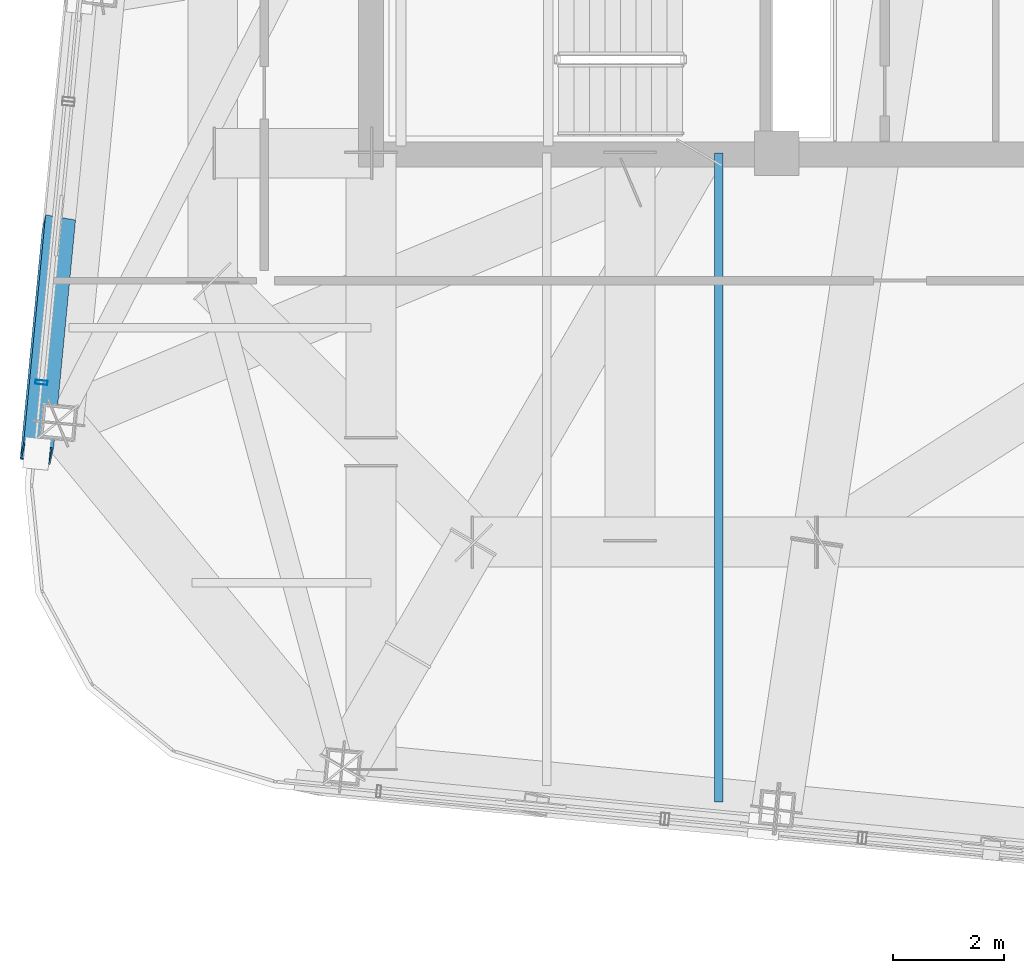
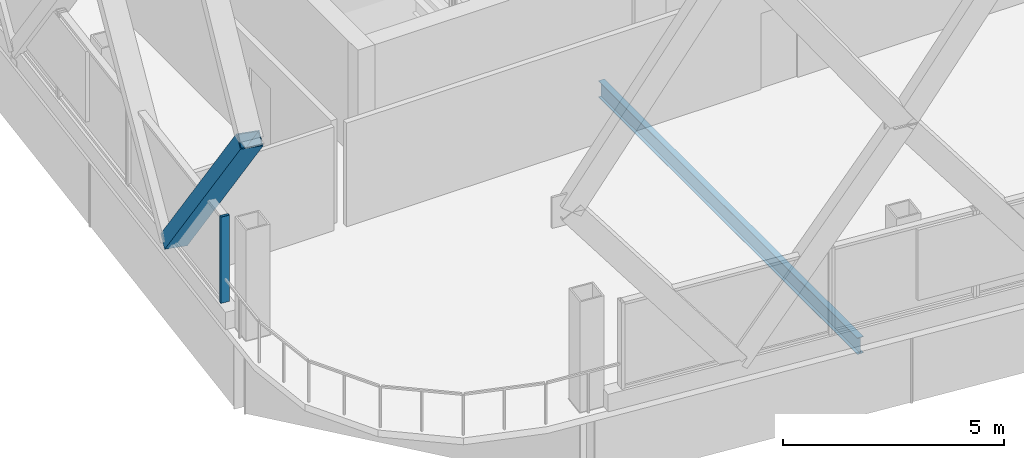
# One storey, part 4 of 31: 2 members, 1 beam, 1 element without a shape of its own.
"""IFC4 building model written with IfcOpenShell, lengths in metres."""

from ifc_helpers import new_model, si_unit, direction, frame, origin, origin_2d, place, context, subcontext, project, spatial, hollow_rectangle, i_section, extrude, material, layer, layer_set, material_profile, profile_set, type_object, element, aggregate, save


model = new_model("IFC4")

# Units and contexts
model_context = context("Model", 3, precision=1e-05, world=origin(), true_north=direction((0.0, 1.0)))
body_context = subcontext(model_context, "Body", "Model", "MODEL_VIEW")
ifc_project = project(units=[si_unit("LENGTHUNIT", "METRE"), si_unit("AREAUNIT", "SQUARE_METRE"), si_unit("VOLUMEUNIT", "CUBIC_METRE"), si_unit("PLANEANGLEUNIT", "RADIAN"), si_unit("MASSUNIT", "GRAM", prefix="KILO")], contexts=[model_context])

# Site, building, storey
site_placement = place(None, origin())
site = spatial("IfcSite", under=ifc_project, at=site_placement, CompositionType="ELEMENT")
building_placement = place(site_placement, origin())
building = spatial("IfcBuilding", under=site, at=building_placement, Name="Qhalaya Broadcast Tower", CompositionType="ELEMENT")
storey_placement = place(building_placement, frame((0.0, 0.0, 242.85009765625)))
storey = spatial("IfcBuildingStorey", under=building, at=storey_placement, Name="L71", CompositionType="ELEMENT", Elevation=242.85009765625)

# Beam
ifc_material_1 = material(Name="Structural Steel ASTM A992 Grade 50", Category="steel")
ifc_material_profile_1 = material_profile(ifc_material_1, i_section(OverallWidth=0.154052734375, OverallDepth=0.458984375, WebThickness=0.009033203125, FlangeThickness=0.015380859375, at=origin_2d()), Name="W18X46")
ifc_profile_set_1 = profile_set([ifc_material_profile_1], Name="Structural Steel ASTM A992 Grade 50")
beam_type = type_object("IfcBeamType", Name="Composite Floor Joist J04", PredefinedType="JOIST", material=ifc_profile_set_1)
beam_placement = place(storey_placement, frame((-3.10009765625, -20.46142578125, -0.419677734375), z_axis=(0.0, 1.0, 0.0), x_axis=(-1.0, 0.0, 0.0)))
element("IfcBeam", 1, at=beam_placement, inside=storey, type_object=beam_type, Name="L71 J04 L71-JNS2-1", PredefinedType="JOIST", context=body_context, shape_type="SweptSolid", body=[
    extrude(i_section(OverallWidth=0.154052734375, OverallDepth=0.458984375, WebThickness=0.009033203125, FlangeThickness=0.015380859375, at=origin_2d()), origin(), (0.0, 0.0, 1.0), 11.71142578125),
])

# Member
ifc_material_2 = material(Name="Structural Steel ASTM A572 Grade 50", Category="steel")
ifc_material_profile_2 = material_profile(ifc_material_2, hollow_rectangle(XDim=0.3798828125, YDim=0.550048828125, WallThickness=0.02490234375, at=origin_2d()), Name="BOX 380x550x25")
ifc_profile_set_2 = profile_set([ifc_material_profile_2], Name="Structural Steel ASTM A572 Grade 50")
member_type_1 = type_object("IfcMemberType", Name="Exoskeleton Diamond Diagonal Upper EX4", PredefinedType="BRACE", material=ifc_profile_set_2)
member_1_placement = place(storey_placement, frame((-15.01025390625, -10.05859375, 0.35986328125), z_axis=(-0.058300658059, -0.60538569949, 0.793794172392), x_axis=(0.171147030491, 0.777313225214, 0.605386524347)))
element("IfcMember", 2, at=member_1_placement, inside=storey, type_object=member_type_1, Name="B6 Exoskeleton Diamond Brace W3-D2", PredefinedType="BRACE", context=body_context, shape_type="SweptSolid", body=[
    extrude(hollow_rectangle(XDim=0.3798828125, YDim=0.550048828125, WallThickness=0.02490234375, at=origin_2d()), origin(), (0.0, 0.0, 1.0), 6.79638671875),
])

# Curtain wall, member
ifc_material_3 = material(Name="Fired Architectural Terracotta", Category="masonry")
ifc_layer = layer(ifc_material_3, 0.219970703125, Name="Fired Architectural Terracotta")
ifc_layer_set = layer_set([ifc_layer], Name="Fired Architectural Terracotta")
curtain_wall_type = type_object("IfcCurtainWallType", Name="Block-Cap Unitised Terracotta Spandrel Wall CW-07", PredefinedType="NOTDEFINED", material=ifc_layer_set)
curtain_wall_placement = place(storey_placement, origin())
curtain_wall = element("IfcCurtainWall", 3, at=curtain_wall_placement, inside=storey, type_object=curtain_wall_type, Name="L71 Unitised Curtain Wall L71-CW-W5", PredefinedType="NOTDEFINED")
ifc_material_4 = material(Name="Anodised Aluminium 6063-T6", Category="aluminium")
ifc_material_profile_3 = material_profile(ifc_material_4, hollow_rectangle(XDim=0.074951171875, YDim=0.219970703125, WallThickness=0.00390625, at=origin_2d()), Name="ALU-MUL 75x220x4")
ifc_profile_set_3 = profile_set([ifc_material_profile_3], Name="Anodised Aluminium 6063-T6")
member_type_2 = type_object("IfcMemberType", Name="Unitised Curtain-Wall Mullion M01", PredefinedType="MULLION", material=ifc_profile_set_3)
member_2_placement = place(storey_placement, frame((-15.32275390625, -12.887451171875, 0.47998046875), z_axis=(0.0, 0.0, 1.0), x_axis=(-0.095847607498, -0.995396019751, 0.0)))
member_2 = element("IfcMember", 4, at=member_2_placement, type_object=member_type_2, Name="CW-07 mullion 2", PredefinedType="MULLION", context=body_context, shape_type="SweptSolid", body=[
    extrude(hollow_rectangle(XDim=0.074951171875, YDim=0.219970703125, WallThickness=0.00390625, at=origin_2d()), origin(), (0.0, 0.0, 1.0), 2.3798828125),
])
aggregate(curtain_wall, [member_2])

save(model, "model.ifc")
